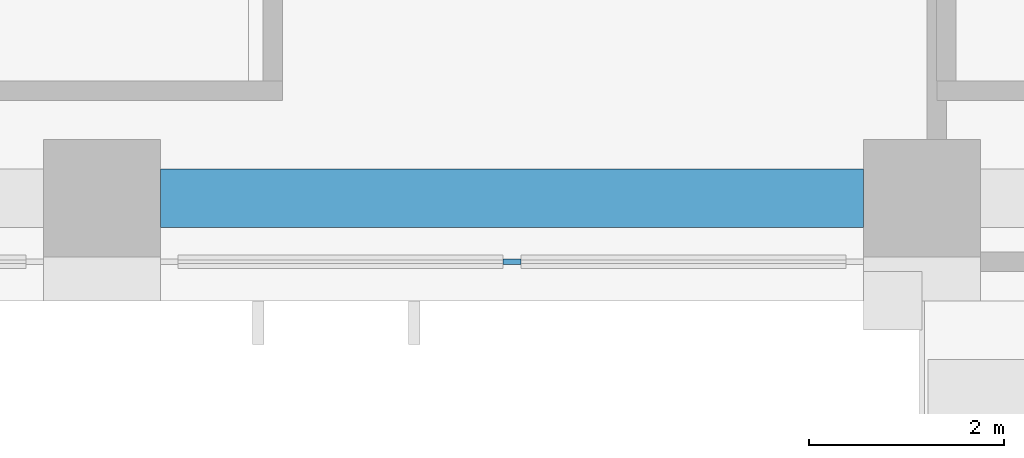
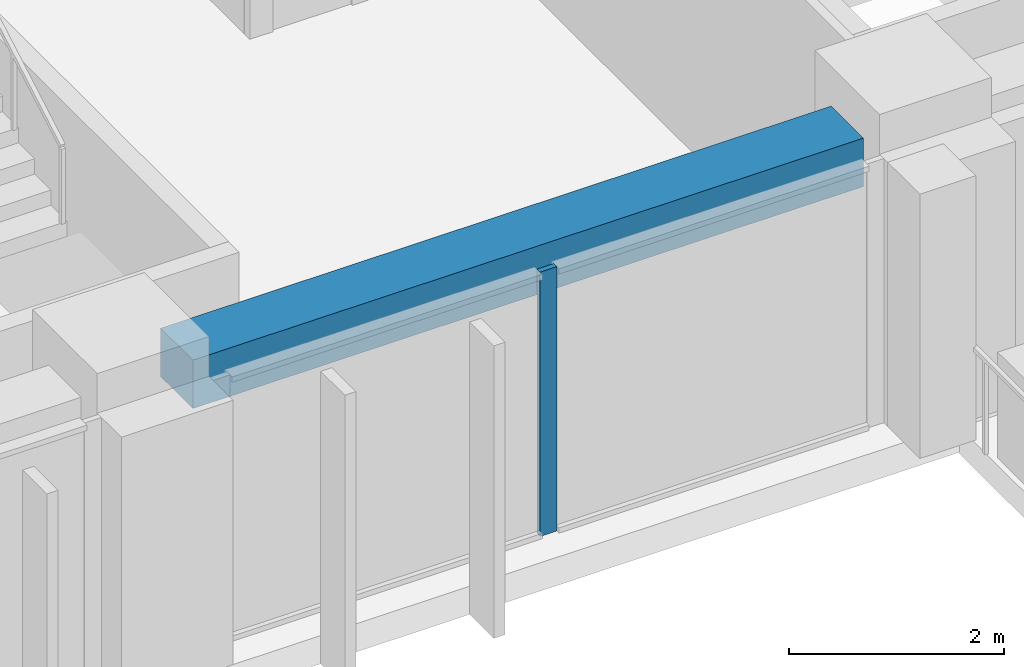
# One storey, part 3 of 21: 1 beam, 1 member, 1 element without a shape of its own.
"""IFC4 building model written with IfcOpenShell, lengths in metres."""

import ifcopenshell
import ifcopenshell.guid

model = None  # the IFC model being written
_history = None  # IfcOwnerHistory: only IFC2X3 demands one
_inside = {}  # id of a spatial element -> (the spatial element, [elements in it])
_under = {}  # id of a project, library or spatial element -> (it, [spatial elements below it])
_declared = {}  # id of a project -> (the project, [libraries it declares])
_typed = {}  # id of a type object -> (the type object, [elements of that type])
_made_of = {}  # id of a material, layer set ... -> (it, [elements and type objects made of it])


def new_model(schema):
    """Start an empty IFC model of exactly this schema.

    Asked for "IFC4X3", IfcOpenShell would pick the latest addendum, in which some entities
    have other attributes; the version numbers below select the first issue.
    IFC2X3 requires an IfcOwnerHistory on every rooted entity: one is made here for all.
    """
    global model, _history
    if schema == "IFC4X3":
        model = ifcopenshell.file(schema_version=(4, 3, 0, 0))
    else:
        model = ifcopenshell.file(schema=schema)
    _inside.clear()
    _under.clear()
    _declared.clear()
    _typed.clear()
    _made_of.clear()
    _history = None
    if model.schema == "IFC2X3":
        org = make("IfcOrganization", Name="unknown")
        user = make(
            "IfcPersonAndOrganization",
            ThePerson=make("IfcPerson", FamilyName="unknown"),
            TheOrganization=org,
        )
        app = make(
            "IfcApplication",
            ApplicationDeveloper=org,
            Version="unknown",
            ApplicationFullName="unknown",
            ApplicationIdentifier="unknown",
        )
        _history = make(
            "IfcOwnerHistory",
            OwningUser=user,
            OwningApplication=app,
            ChangeAction="ADDED",
            CreationDate=0,
        )
    return model


def make(cls, **values):
    """One entity of the class cls with the attributes given. An attribute that is None is left unset."""
    return model.create_entity(
        cls, **{name: value for name, value in values.items() if value is not None}
    )


def rooted(cls, **values):
    """An entity with a GlobalId (a new one), such as an element, a storey or a relation."""
    return make(cls, GlobalId=ifcopenshell.guid.new(), OwnerHistory=_history, **values)


def si_unit(unit_type, name, prefix=None):
    """IfcSIUnit, for example si_unit("LENGTHUNIT", "METRE", prefix="MILLI")."""
    return make("IfcSIUnit", UnitType=unit_type, Prefix=prefix, Name=name)


def assignment(units):
    """IfcUnitAssignment: the units of a project."""
    return None if units is None else make("IfcUnitAssignment", Units=units)


def point(xyz):
    """IfcCartesianPoint."""
    return None if xyz is None else make("IfcCartesianPoint", Coordinates=xyz)


def direction(xyz):
    """IfcDirection."""
    return None if xyz is None else make("IfcDirection", DirectionRatios=xyz)


def frame(location, z_axis=None, x_axis=None):
    """IfcAxis2Placement3D, a coordinate frame: its origin and axes. An axis left out is left unset."""
    return make(
        "IfcAxis2Placement3D",
        Location=point(location),
        Axis=direction(z_axis),
        RefDirection=direction(x_axis),
    )


def frame_2d(location, x_axis=None):
    """IfcAxis2Placement2D, a coordinate frame in the plane: its origin and x axis."""
    return make(
        "IfcAxis2Placement2D", Location=point(location), RefDirection=direction(x_axis)
    )


def origin():
    """The frame at (0, 0, 0) with its axes left unset."""
    return frame((0.0, 0.0, 0.0))


def origin_2d():
    """The frame at (0, 0) in the plane with its x axis left unset."""
    return frame_2d((0.0, 0.0))


def place(relative_to, where):
    """IfcLocalPlacement: puts the frame where relative to a parent placement (None: the world)."""
    return make(
        "IfcLocalPlacement", PlacementRelTo=relative_to, RelativePlacement=where
    )


def context(
    kind, dimensions, precision=None, world=None, true_north=None, identifier=None
):
    """IfcGeometricRepresentationContext, for example the 3D "Model" context."""
    return make(
        "IfcGeometricRepresentationContext",
        ContextIdentifier=identifier,
        ContextType=kind,
        CoordinateSpaceDimension=dimensions,
        Precision=precision,
        WorldCoordinateSystem=world,
        TrueNorth=true_north,
    )


def subcontext(parent, identifier, kind, view, scale=None):
    """IfcGeometricRepresentationSubContext, for example "Body" below "Model"."""
    return make(
        "IfcGeometricRepresentationSubContext",
        ContextIdentifier=identifier,
        ContextType=kind,
        ParentContext=parent,
        TargetScale=scale,
        TargetView=view,
    )


def project(units=None, contexts=None):
    """IfcProject with its units and contexts."""
    return rooted(
        "IfcProject",
        Name="project",
        RepresentationContexts=contexts,
        UnitsInContext=assignment(units),
    )


def spatial(cls, under=None, at=None, **own):
    """A site, building, storey or space (cls), placed at a placement, below another one or the project."""
    s = rooted(cls, ObjectPlacement=at, **own)
    if under is not None:
        _under.setdefault(under.id(), (under, []))[1].append(s)
    return s


def profile(cls, at=None, kind="AREA", **sizes):
    """A parametric profile (cls). Its sizes go by their IFC names, for example OverallWidth=200.0."""
    return make(cls, ProfileType=kind, Position=at, **sizes)


def rectangle(**sizes):
    """IfcRectangleProfileDef."""
    return profile("IfcRectangleProfileDef", **sizes)


def extrude(swept, where, along, depth):
    """IfcExtrudedAreaSolid: the profile swept, set in the frame where, extruded along a direction by depth."""
    return make(
        "IfcExtrudedAreaSolid",
        SweptArea=swept,
        Position=where,
        ExtrudedDirection=direction(along),
        Depth=depth,
    )


def shape(context_of_items, identifier, shape_type, items):
    """IfcShapeRepresentation: the items that make up one representation, for example the "Body"."""
    return make(
        "IfcShapeRepresentation",
        ContextOfItems=context_of_items,
        RepresentationIdentifier=identifier,
        RepresentationType=shape_type,
        Items=items,
    )


def material(Name=None, Category=None):
    """IfcMaterial."""
    return make("IfcMaterial", Name=Name, Category=Category)


def material_profile(
    of_material, cross_section, Name=None, Category=None, Priority=None
):
    """IfcMaterialProfile: a cross section and its material."""
    return make(
        "IfcMaterialProfile",
        Name=Name,
        Material=of_material,
        Profile=cross_section,
        Priority=Priority,
        Category=Category,
    )


def profile_set(profiles, Name=None, composite=None):
    """IfcMaterialProfileSet."""
    return make(
        "IfcMaterialProfileSet",
        Name=Name,
        MaterialProfiles=profiles,
        CompositeProfile=composite,
    )


def made_of(thing, what):
    """Note that an element or type object is made of a material, layer set ...; save() writes the relation."""
    if what is not None:
        _made_of.setdefault(what.id(), (what, []))[1].append(thing)
    return thing


def type_object(cls, material=None, **own):
    """A type object (cls), such as IfcWallType, which elements share."""
    return made_of(rooted(cls, **own), material)


def element(
    cls,
    number,
    at=None,
    inside=None,
    cuts=None,
    type_object=None,
    material=None,
    context=None,
    identifier="Body",
    shape_type=None,
    held_by="IfcProductDefinitionShape",
    body=None,
    shapes=None,
    **own,
):
    """One element of the class cls, such as IfcWall. Its Tag is "e" and its number.

    at: its placement. inside: the storey or other place that contains it. cuts: it is an
    opening in that element (IfcRelVoidsElement). A single representation is given by context,
    identifier, shape_type and body (its items); several are given by shapes. held_by: the class
    of the entity that holds the representations. save() writes the other relations.
    """
    e = rooted(cls, Tag="e%d" % number, ObjectPlacement=at, **own)
    if body is not None:
        shapes = [shape(context, identifier, shape_type, body)]
    if shapes is not None:
        e.Representation = make(held_by, Representations=shapes)
    if inside is not None:
        _inside.setdefault(inside.id(), (inside, []))[1].append(e)
    if cuts is not None:
        rooted(
            "IfcRelVoidsElement", RelatingBuildingElement=cuts, RelatedOpeningElement=e
        )
    if type_object is not None:
        _typed.setdefault(type_object.id(), (type_object, []))[1].append(e)
    return made_of(e, material)


def aggregate(whole, parts):
    """IfcRelAggregates: a whole, such as a stair, and the parts it consists of."""
    return rooted("IfcRelAggregates", RelatingObject=whole, RelatedObjects=parts)


def save(model, path):
    """Write the relations noted so far, then the file.

    IfcRelAggregates (storeys below a building ...), IfcRelContainedInSpatialStructure (elements
    in a storey), IfcRelDefinesByType, IfcRelAssociatesMaterial and IfcRelDeclares: one each for
    every whole, place, type object, material and project.
    """
    for whole, parts in _under.values():
        aggregate(whole, parts)
    for where, things in _inside.values():
        rooted(
            "IfcRelContainedInSpatialStructure",
            RelatedElements=things,
            RelatingStructure=where,
        )
    for kind, things in _typed.values():
        rooted("IfcRelDefinesByType", RelatedObjects=things, RelatingType=kind)
    for what, things in _made_of.values():
        rooted("IfcRelAssociatesMaterial", RelatedObjects=things, RelatingMaterial=what)
    for by, libraries in _declared.values():
        rooted("IfcRelDeclares", RelatingContext=by, RelatedDefinitions=libraries)
    model.write(path)


model = new_model("IFC4")

# Units and contexts
model_context = context("Model", 3, precision=1e-05, world=origin(), true_north=direction((0.0, 1.0)))
body_context = subcontext(model_context, "Body", "Model", "MODEL_VIEW")
ifc_project = project(units=[si_unit("LENGTHUNIT", "METRE"), si_unit("AREAUNIT", "SQUARE_METRE"), si_unit("VOLUMEUNIT", "CUBIC_METRE"), si_unit("PLANEANGLEUNIT", "RADIAN"), si_unit("MASSUNIT", "GRAM", prefix="KILO")], contexts=[model_context])

# Site, building, storey
site_placement = place(None, origin())
site = spatial("IfcSite", under=ifc_project, at=site_placement, CompositionType="ELEMENT")
building_placement = place(site_placement, origin())
building = spatial("IfcBuilding", under=site, at=building_placement, Name="Vermilion Ogive Tower", CompositionType="ELEMENT")
storey_placement = place(building_placement, frame((0.0, 0.0, 118.35009765625)))
storey = spatial("IfcBuildingStorey", under=building, at=storey_placement, Name="L30", CompositionType="ELEMENT", Elevation=118.35009765625)

# Curtain wall, member
ifc_material_1 = material(Name="Low-iron laminated glazing in aluminium frame", Category="aluminium")
curtain_wall_type = type_object("IfcCurtainWallType", Name="Curtain wall CW7", PredefinedType="NOTDEFINED", material=ifc_material_1)
curtain_wall_placement = place(storey_placement, origin())
curtain_wall = element("IfcCurtainWall", 1, at=curtain_wall_placement, inside=storey, type_object=curtain_wall_type, Name="Glazed skin S3", PredefinedType="NOTDEFINED")
ifc_material_2 = material(Name="Aluminium mullion", Category="aluminium")
ifc_material_profile_1 = material_profile(ifc_material_2, rectangle(XDim=0.06005859375, YDim=0.179931640625, at=origin_2d()), Name="AL 60x180")
ifc_profile_set_1 = profile_set([ifc_material_profile_1], Name="Aluminium mullion")
member_type = type_object("IfcMemberType", Name="CW7 mullion 60x180", PredefinedType="MULLION", material=ifc_profile_set_1)
member_placement = place(storey_placement, frame((4.199951171875, -21.64990234375, 0.0), z_axis=(0.0, 0.0, 1.0), x_axis=(0.0, 1.0, 0.0)))
member = element("IfcMember", 2, at=member_placement, type_object=member_type, Name="CW7-S3 mullion 2", PredefinedType="MULLION", context=body_context, shape_type="SweptSolid", body=[
    extrude(rectangle(XDim=0.06005859375, YDim=0.179931640625, at=origin_2d()), origin(), (0.0, 0.0, 1.0), 3.0),
])
aggregate(curtain_wall, [member])

# Beam
ifc_material_3 = material(Name="Concrete B45", Category="concrete")
ifc_material_profile_2 = material_profile(ifc_material_3, rectangle(XDim=0.60009765625, YDim=0.550048828125, at=origin_2d()), Name="600 x 550")
ifc_profile_set_2 = profile_set([ifc_material_profile_2], Name="Concrete B45")
beam_type = type_object("IfcBeamType", Name="Edge beam 600 x 550 B45", PredefinedType="BEAM", material=ifc_profile_set_2)
beam_placement = place(storey_placement, frame((0.60009765625, -21.0, 2.724853515625), z_axis=(1.0, 0.0, 0.0), x_axis=(0.0, 1.0, 0.0)))
element("IfcBeam", 3, at=beam_placement, inside=storey, type_object=beam_type, Name="L30-EB-3", PredefinedType="BEAM", context=body_context, shape_type="SweptSolid", body=[
    extrude(rectangle(XDim=0.60009765625, YDim=0.550048828125, at=origin_2d()), origin(), (0.0, 0.0, 1.0), 7.199951171875),
])

save(model, "model.ifc")
